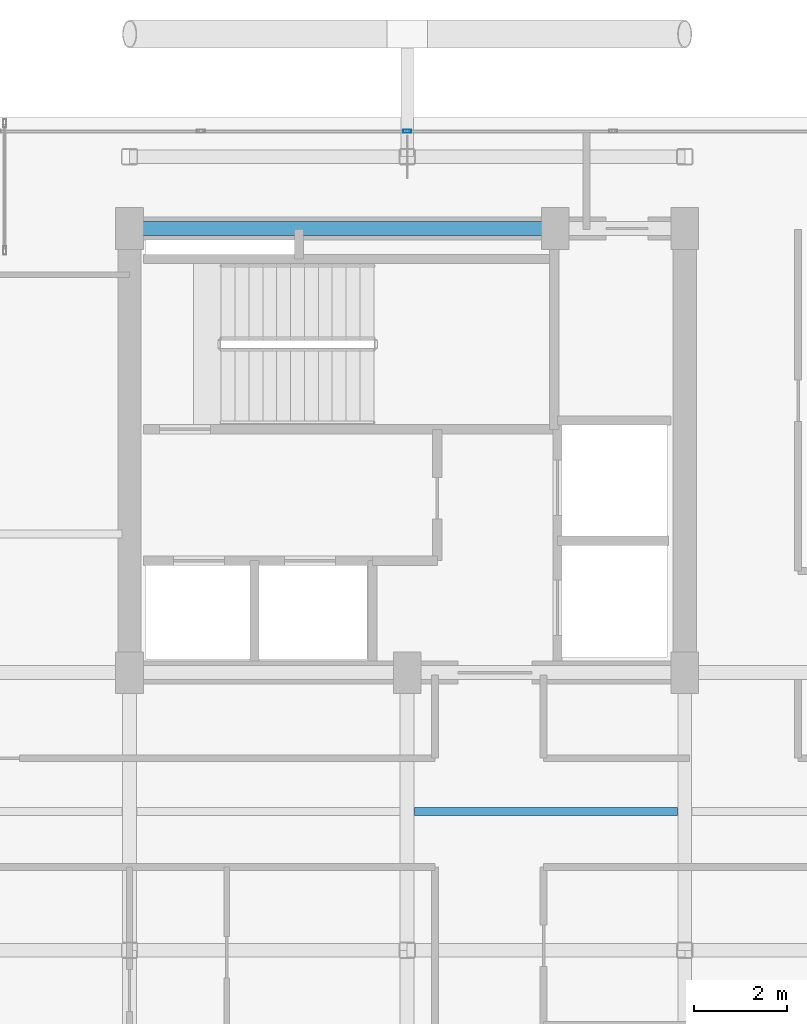
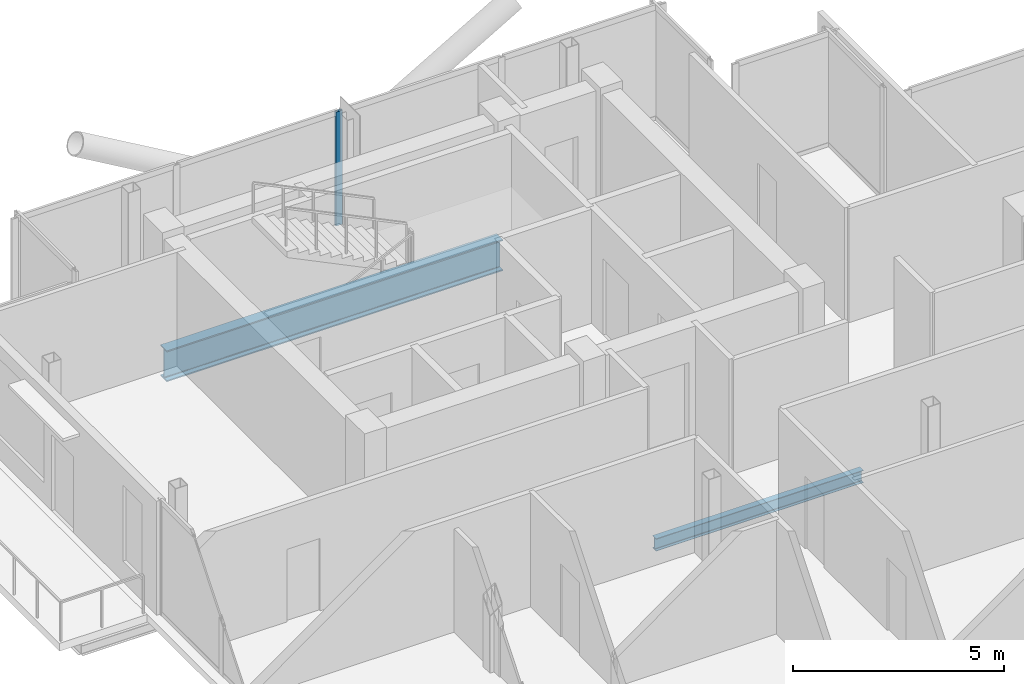
# One storey, part 8 of 18: 2 beams, 1 member, 1 element without a shape of its own.
"""IFC4 building model written with IfcOpenShell, lengths in metres."""

from ifc_helpers import new_model, si_unit, direction, frame, origin, origin_2d, place, context, subcontext, project, spatial, hollow_rectangle, i_section, extrude, material, layer, layer_set, material_profile, profile_set, type_object, element, aggregate, save


model = new_model("IFC4")

# Units and contexts
model_context = context("Model", 3, precision=1e-05, world=origin(), true_north=direction((0.0, 1.0)))
body_context = subcontext(model_context, "Body", "Model", "MODEL_VIEW")
ifc_project = project(units=[si_unit("LENGTHUNIT", "METRE"), si_unit("AREAUNIT", "SQUARE_METRE"), si_unit("VOLUMEUNIT", "CUBIC_METRE"), si_unit("PLANEANGLEUNIT", "RADIAN"), si_unit("MASSUNIT", "GRAM", prefix="KILO"), si_unit("THERMODYNAMICTEMPERATUREUNIT", "KELVIN"), si_unit("POWERUNIT", "WATT")], contexts=[model_context])

# Site, building, storey
site_placement = place(None, origin())
site = spatial("IfcSite", under=ifc_project, at=site_placement, CompositionType="ELEMENT")
building_placement = place(site_placement, origin())
building = spatial("IfcBuilding", under=site, at=building_placement, Name="Svarakhadi Broadcast Tower", CompositionType="ELEMENT")
storey_placement = place(building_placement, frame((0.0, 0.0, 260.699951171875)))
storey = spatial("IfcBuildingStorey", under=building, at=storey_placement, Name="L65", CompositionType="ELEMENT", Elevation=260.699951171875)

# Beam
ifc_material_1 = material(Name="Steel S355J2 (IS 2062 E350C)", Category="steel")
ifc_material_profile_1 = material_profile(ifc_material_1, i_section(OverallWidth=0.169921875, OverallDepth=0.360107421875, WebThickness=0.008056640625, FlangeThickness=0.0126953125, FilletRadius=0.01806640625, at=origin_2d()), Name="NPB 360x170x57")
ifc_profile_set_1 = profile_set([ifc_material_profile_1], Name="Steel S355J2 (IS 2062 E350C)")
beam_type_1 = type_object("IfcBeamType", Name="Beam_NPB360", PredefinedType="BEAM", material=ifc_profile_set_1)
beam_1_placement = place(storey_placement, frame((12.159912109375, 15.0, -0.3798828125), z_axis=(1.0, 0.0, 0.0), x_axis=(0.0, 1.0, 0.0)))
element("IfcBeam", 1, at=beam_1_placement, inside=storey, type_object=beam_type_1, Name="L65 Secondary Composite Beam SB009", PredefinedType="BEAM", context=body_context, shape_type="SweptSolid", body=[
    extrude(i_section(OverallWidth=0.169921875, OverallDepth=0.360107421875, WebThickness=0.008056640625, FlangeThickness=0.0126953125, FilletRadius=0.01806640625, at=origin_2d()), origin(), (0.0, 0.0, 1.0), 5.68017578125),
])

# Curtain wall, member
ifc_material_2 = material(Name="Anodised Bronze Aluminium AA 6063-T6", Category="aluminium")
ifc_layer = layer(ifc_material_2, 0.179931640625)
ifc_layer_set = layer_set([ifc_layer], Name="Anodised Bronze Aluminium AA 6063-T6")
curtain_wall_type = type_object("IfcCurtainWallType", Name="CW_Sys_05", PredefinedType="NOTDEFINED", material=ifc_layer_set)
curtain_wall_placement = place(storey_placement, origin())
curtain_wall = element("IfcCurtainWall", 2, at=curtain_wall_placement, inside=storey, type_object=curtain_wall_type, Name="L65 Unitised Facade Curtain Wall 05", PredefinedType="NOTDEFINED")
ifc_material_profile_2 = material_profile(ifc_material_2, hollow_rectangle(XDim=0.070068359375, YDim=0.179931640625, WallThickness=0.005615234375, at=origin_2d()), Name="ALU MULLION 180x70x6")
ifc_profile_set_2 = profile_set([ifc_material_profile_2], Name="Anodised Bronze Aluminium AA 6063-T6")
member_type = type_object("IfcMemberType", Name="CW_Sys_05_Mul", PredefinedType="MULLION", material=ifc_profile_set_2)
member_placement = place(storey_placement, frame((12.0, 29.699951171875, 0.0), z_axis=(0.0, 0.0, 1.0), x_axis=(0.0, 1.0, 0.0)))
member = element("IfcMember", 3, at=member_placement, type_object=member_type, Name="CW-05 mullion 3", PredefinedType="MULLION", context=body_context, shape_type="SweptSolid", body=[
    extrude(hollow_rectangle(XDim=0.070068359375, YDim=0.179931640625, WallThickness=0.005615234375, at=origin_2d()), origin(), (0.0, 0.0, 1.0), 3.300048828125),
])
aggregate(curtain_wall, [member])

# Beam
ifc_material_3 = material(Name="Steel S460ML (IS 2062 E450BR)", Category="steel")
ifc_material_profile_3 = material_profile(ifc_material_3, i_section(OverallWidth=0.300048828125, OverallDepth=0.89990234375, WebThickness=0.0185546875, FlangeThickness=0.034912109375, FilletRadius=0.030029296875, at=origin_2d()), Name="WPB 900x300x291")
ifc_profile_set_3 = profile_set([ifc_material_profile_3], Name="Steel S460ML (IS 2062 E450BR)")
beam_type_2 = type_object("IfcBeamType", Name="Girder_WPB900", PredefinedType="USERDEFINED", material=ifc_profile_set_3)
beam_2_placement = place(storey_placement, frame((6.0, 27.60009765625, -0.64990234375), z_axis=(1.0, 0.0, 0.0), x_axis=(0.0, 1.0, 0.0)))
element("IfcBeam", 4, at=beam_2_placement, inside=storey, type_object=beam_type_2, Name="L65 Primary E-W Girder G022", ObjectType="GIRDER", PredefinedType="USERDEFINED", context=body_context, shape_type="SweptSolid", body=[
    extrude(i_section(OverallWidth=0.300048828125, OverallDepth=0.89990234375, WebThickness=0.0185546875, FlangeThickness=0.034912109375, FilletRadius=0.030029296875, at=origin_2d()), origin(), (0.0, 0.0, 1.0), 9.199951171875),
])

save(model, "model.ifc")
